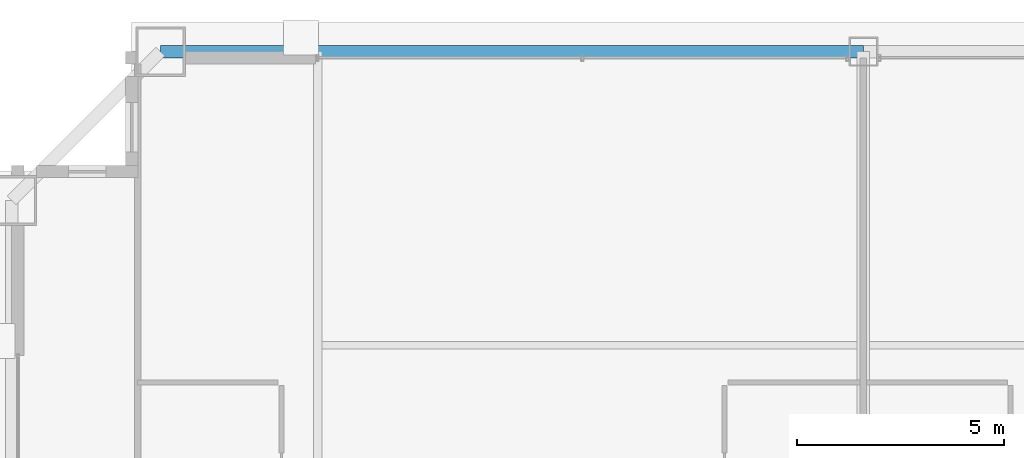
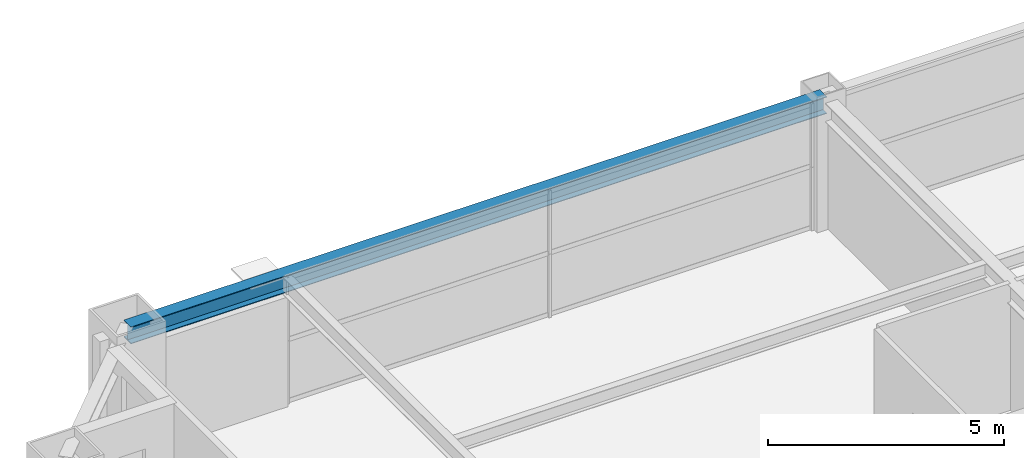
# One storey, part 26 of 37: 1 beam.
"""IFC4 building model written with IfcOpenShell, lengths in metres."""

from ifc_helpers import new_model, si_unit, direction, frame, origin, origin_2d, place, context, subcontext, project, spatial, i_section, extrude, source, transform, mapped, material, material_profile, profile_set, type_object, element, save


model = new_model("IFC4")

# Units and contexts
model_context = context("Model", 3, precision=1e-05, world=origin(), true_north=direction((0.0, 1.0)))
body_context = subcontext(model_context, "Body", "Model", "MODEL_VIEW")
ifc_project = project(units=[si_unit("LENGTHUNIT", "METRE"), si_unit("AREAUNIT", "SQUARE_METRE"), si_unit("VOLUMEUNIT", "CUBIC_METRE"), si_unit("PLANEANGLEUNIT", "RADIAN"), si_unit("MASSUNIT", "GRAM", prefix="KILO"), si_unit("THERMODYNAMICTEMPERATUREUNIT", "KELVIN"), si_unit("POWERUNIT", "WATT")], contexts=[model_context])

# Site, building, storey
site_placement = place(None, origin())
site = spatial("IfcSite", under=ifc_project, at=site_placement, CompositionType="ELEMENT")
building_placement = place(site_placement, origin())
building = spatial("IfcBuilding", under=site, at=building_placement, Name="Yuzanri Waterfront Tower", CompositionType="ELEMENT")
storey_placement = place(building_placement, frame((0.0, 0.0, 275.10009765625)))
storey = spatial("IfcBuildingStorey", under=building, at=storey_placement, Name="L73", CompositionType="ELEMENT", Elevation=275.10009765625)

# Beam
ifc_material = material(Name="Steel Q355B", Category="steel")
ifc_material_profile = material_profile(ifc_material, i_section(OverallWidth=0.300048828125, OverallDepth=0.43994140625, WebThickness=0.010986328125, FlangeThickness=0.01806640625, at=origin_2d()), Name="HM 440x300x11x18")
ifc_profile_set = profile_set([ifc_material_profile], Name="Steel Q355B")
beam_type = type_object("IfcBeamType", Name="Perimeter Spandrel Q355B HM 440x300", PredefinedType="SPANDREL", material=ifc_profile_set)
shared_shape = source(origin(), body_context, "Body", "SweptSolid", [
    extrude(i_section(OverallWidth=0.300048828125, OverallDepth=0.43994140625, WebThickness=0.010986328125, FlangeThickness=0.01806640625, at=origin_2d()), origin(), (0.0, 0.0, 1.0), 17.0),
])
beam_placement = place(storey_placement, frame((37.0, 46.39990234375, 3.059814453125), z_axis=(-1.0, 0.0, 0.0), x_axis=(0.0, -1.0, 0.0)))
element("IfcBeam", 1, at=beam_placement, inside=storey, type_object=beam_type, Name="L73 Perimeter Spandrel N2-N1", PredefinedType="SPANDREL", context=body_context, shape_type="MappedRepresentation", body=[
    mapped(shared_shape, transform((0.0, 0.0, 0.0), scale=1.0)),
])

save(model, "model.ifc")
